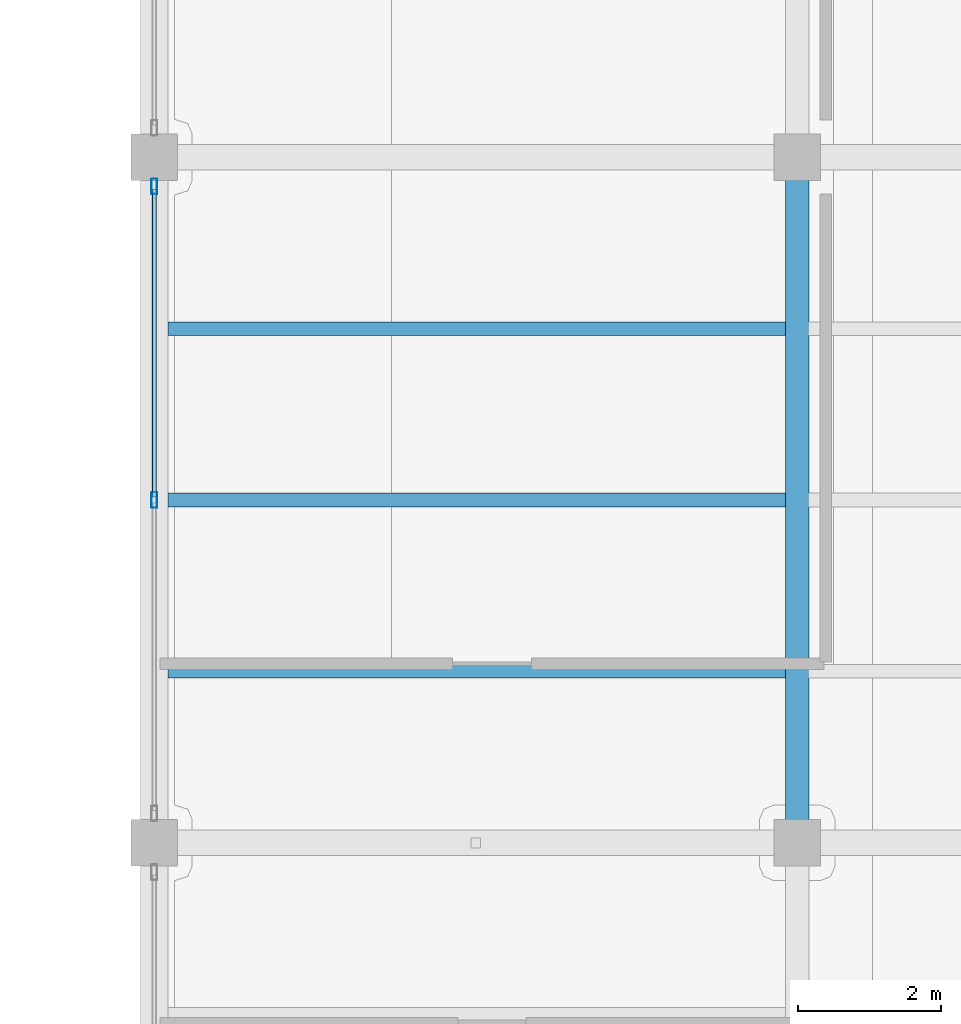
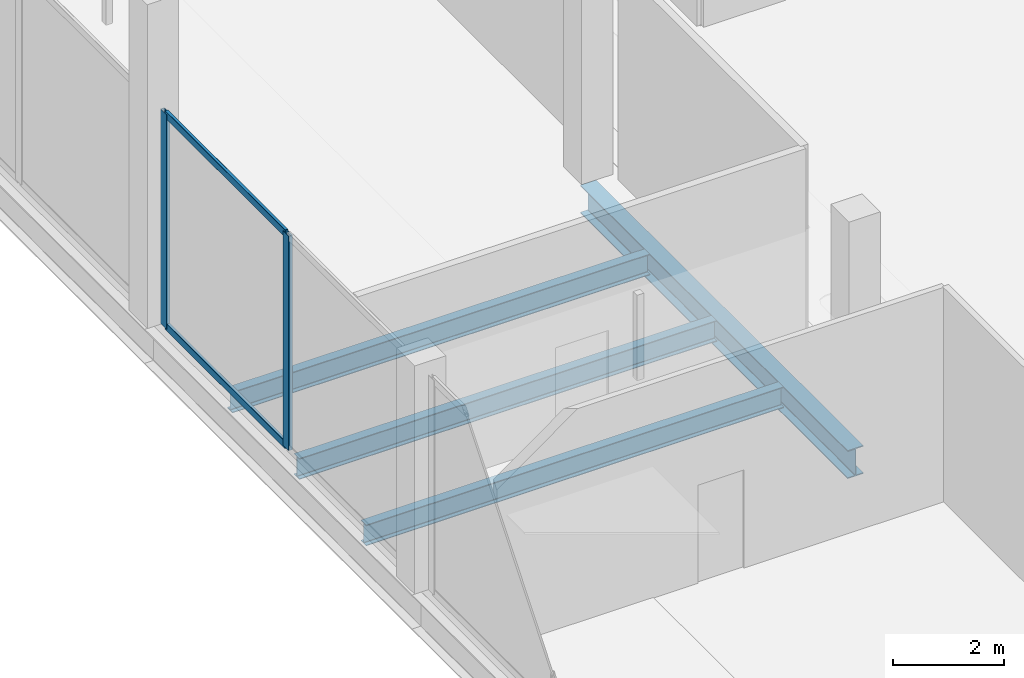
# One storey, part 9 of 43: 4 beams, 4 members, 1 element without a shape of its own.
"""IFC4 building model written with IfcOpenShell, lengths in metres."""

from ifc_helpers import new_model, si_unit, direction, frame, origin, origin_2d, place, context, subcontext, project, spatial, hollow_rectangle, i_section, extrude, material, layer, layer_set, material_profile, profile_set, type_object, element, aggregate, save


model = new_model("IFC4")

# Units and contexts
model_context = context("Model", 3, precision=1e-05, world=origin(), true_north=direction((0.0, 1.0)))
body_context = subcontext(model_context, "Body", "Model", "MODEL_VIEW")
ifc_project = project(units=[si_unit("LENGTHUNIT", "METRE"), si_unit("AREAUNIT", "SQUARE_METRE"), si_unit("VOLUMEUNIT", "CUBIC_METRE"), si_unit("PLANEANGLEUNIT", "RADIAN"), si_unit("MASSUNIT", "GRAM", prefix="KILO")], contexts=[model_context])

# Site, building, storey
site_placement = place(None, origin())
site = spatial("IfcSite", under=ifc_project, at=site_placement, CompositionType="ELEMENT")
building_placement = place(site_placement, origin())
building = spatial("IfcBuilding", under=site, at=building_placement, Name="Qorvath Tower", CompositionType="ELEMENT")
storey_placement = place(building_placement, frame((0.0, 0.0, 22.0)))
storey = spatial("IfcBuildingStorey", under=building, at=storey_placement, Name="L04", CompositionType="ELEMENT", Elevation=22.0)

# Beams
ifc_material_1 = material(Name="Steel ASTM A992 Grade 50", Category="steel")
ifc_material_profile_1 = material_profile(ifc_material_1, i_section(OverallWidth=0.324951171875, OverallDepth=0.615966796875, WebThickness=0.013916015625, FlangeThickness=0.021484375, FilletRadius=0.01611328125, at=origin_2d()), Name="W24x117")
ifc_profile_set_1 = profile_set([ifc_material_profile_1], Name="Steel ASTM A992 Grade 50")
beam_type_1 = type_object("IfcBeamType", Name="BM-FG5", PredefinedType="BEAM", material=ifc_profile_set_1)
beam_placement = place(storey_placement, frame((41.39990234375, 0.0, -0.568115234375), z_axis=(0.0, 1.0, 0.0), x_axis=(-1.0, 0.0, 0.0)))
element("IfcBeam", 1, at=beam_placement, inside=storey, type_object=beam_type_1, Name="Library N-S Girder L04-2-5", PredefinedType="BEAM", context=body_context, shape_type="SweptSolid", body=[
    extrude(i_section(OverallWidth=0.324951171875, OverallDepth=0.615966796875, WebThickness=0.013916015625, FlangeThickness=0.021484375, FilletRadius=0.01611328125, at=origin_2d()), origin(), (0.0, 0.0, 1.0), 9.60009765625),
])
ifc_material_2 = material(Name="Steel ASTM A992 Grade 50", Category="steel")
ifc_material_profile_2 = material_profile(ifc_material_2, i_section(OverallWidth=0.18994140625, OverallDepth=0.45703125, WebThickness=0.009033203125, FlangeThickness=0.014404296875, FilletRadius=0.011962890625, at=origin_2d()), Name="W18x50")
ifc_profile_set_2 = profile_set([ifc_material_profile_2], Name="Steel ASTM A992 Grade 50")
beam_type_2 = type_object("IfcBeamType", Name="BM-FJ2", PredefinedType="JOIST", material=ifc_profile_set_2)
for number, where, z_axis, x_axis, name in (
    (2, (32.58837890625, 2.39990234375, -0.488525390625), (1.0, 0.0, 0.0), (0.0, 1.0, 0.0), "Library Stack Joist L04-5.1-1"),
    (3, (32.58837890625, 4.800048828125, -0.488525390625), (1.0, 0.0, 0.0), (0.0, 1.0, 0.0), "Library Stack Joist L04-5.2-1"),
    (4, (32.58837890625, 7.199951171875, -0.488525390625), (1.0, 0.0, 0.0), (0.0, 1.0, 0.0), "Library Stack Joist L04-5.3-1"),
):
    element("IfcBeam", number, at=place(storey_placement, frame(where, z_axis=z_axis, x_axis=x_axis)), inside=storey, type_object=beam_type_2, Name=name, PredefinedType="JOIST", context=body_context, shape_type="SweptSolid", body=[
        extrude(i_section(OverallWidth=0.18994140625, OverallDepth=0.45703125, WebThickness=0.009033203125, FlangeThickness=0.014404296875, FilletRadius=0.011962890625, at=origin_2d()), origin(), (0.0, 0.0, 1.0), 8.651123046875),
    ])

# Curtain wall, members
ifc_material_3 = material(Name="Anodised aluminium and triple low-E glass", Category="aluminium")
ifc_layer = layer(ifc_material_3, 0.179931640625)
ifc_layer_set = layer_set([ifc_layer], Name="CW-SYS-6")
curtain_wall_type = type_object("IfcCurtainWallType", Name="CW-SYS-6", PredefinedType="NOTDEFINED", material=ifc_layer_set)
curtain_wall_placement = place(storey_placement, origin())
curtain_wall = element("IfcCurtainWall", 5, at=curtain_wall_placement, inside=storey, type_object=curtain_wall_type, Name="Curtain Wall CW-6 CW-LIB-W-L04-5", PredefinedType="NOTDEFINED")
ifc_material_4 = material(Name="Anodised aluminium 6063-T6", Category="aluminium")
ifc_material_profile_3 = material_profile(ifc_material_4, hollow_rectangle(XDim=0.080078125, YDim=0.219970703125, WallThickness=0.00439453125, InnerFilletRadius=0.00439453125, OuterFilletRadius=0.009033203125, at=origin_2d()), Name="CWM LIB 220x80")
ifc_profile_set_3 = profile_set([ifc_material_profile_3], Name="Anodised aluminium 6063-T6")
member_type_1 = type_object("IfcMemberType", Name="CWM-LIB", PredefinedType="MULLION", material=ifc_profile_set_3)
member_1_placement = place(storey_placement, frame((32.39990234375, 4.800048828125, 0.0), z_axis=(0.0, 0.0, 1.0), x_axis=(-1.0, 0.0, 0.0)))
member_1 = element("IfcMember", 6, at=member_1_placement, type_object=member_type_1, Name="CW-6 mullion 2", PredefinedType="MULLION", context=body_context, shape_type="SweptSolid", body=[
    extrude(hollow_rectangle(XDim=0.080078125, YDim=0.219970703125, WallThickness=0.00439453125, InnerFilletRadius=0.00439453125, OuterFilletRadius=0.009033203125, at=origin_2d()), origin(), (0.0, 0.0, 1.0), 4.699951171875),
])
member_2_placement = place(storey_placement, frame((32.39990234375, 9.18994140625, 0.0), z_axis=(0.0, 0.0, 1.0), x_axis=(-1.0, 0.0, 0.0)))
member_2 = element("IfcMember", 7, at=member_2_placement, type_object=member_type_1, Name="CW-6 mullion 3", PredefinedType="MULLION", context=body_context, shape_type="SweptSolid", body=[
    extrude(hollow_rectangle(XDim=0.080078125, YDim=0.219970703125, WallThickness=0.00439453125, InnerFilletRadius=0.00439453125, OuterFilletRadius=0.009033203125, at=origin_2d()), origin(), (0.0, 0.0, 1.0), 4.699951171875),
])
ifc_material_5 = material(Name="Anodised aluminium 6063-T6", Category="aluminium")
ifc_material_profile_4 = material_profile(ifc_material_5, hollow_rectangle(XDim=0.06494140625, YDim=0.159912109375, WallThickness=0.00341796875, InnerFilletRadius=0.00341796875, OuterFilletRadius=0.007080078125, at=origin_2d()), Name="CWT 160x65")
ifc_profile_set_4 = profile_set([ifc_material_profile_4], Name="Anodised aluminium 6063-T6")
member_type_2 = type_object("IfcMemberType", Name="CWT-160", PredefinedType="USERDEFINED", material=ifc_profile_set_4)
member_3_placement = place(storey_placement, frame((32.39990234375, 4.840087890625, 0.032470703125), z_axis=(0.0, 1.0, 0.0), x_axis=(-1.0, 0.0, 0.0)))
member_3 = element("IfcMember", 8, at=member_3_placement, type_object=member_type_2, Name="CW-6 transom 2.1", ObjectType="TRANSOM", PredefinedType="USERDEFINED", context=body_context, shape_type="SweptSolid", body=[
    extrude(hollow_rectangle(XDim=0.06494140625, YDim=0.159912109375, WallThickness=0.00341796875, InnerFilletRadius=0.00341796875, OuterFilletRadius=0.007080078125, at=origin_2d()), origin(), (0.0, 0.0, 1.0), 4.309814453125),
])
member_4_placement = place(storey_placement, frame((32.39990234375, 4.840087890625, 4.66748046875), z_axis=(0.0, 1.0, 0.0), x_axis=(-1.0, 0.0, 0.0)))
member_4 = element("IfcMember", 9, at=member_4_placement, type_object=member_type_2, Name="CW-6 transom 2.2", ObjectType="TRANSOM", PredefinedType="USERDEFINED", context=body_context, shape_type="SweptSolid", body=[
    extrude(hollow_rectangle(XDim=0.06494140625, YDim=0.159912109375, WallThickness=0.00341796875, InnerFilletRadius=0.00341796875, OuterFilletRadius=0.007080078125, at=origin_2d()), origin(), (0.0, 0.0, 1.0), 4.309814453125),
])
aggregate(curtain_wall, [member_1, member_2, member_3, member_4])

save(model, "model.ifc")
